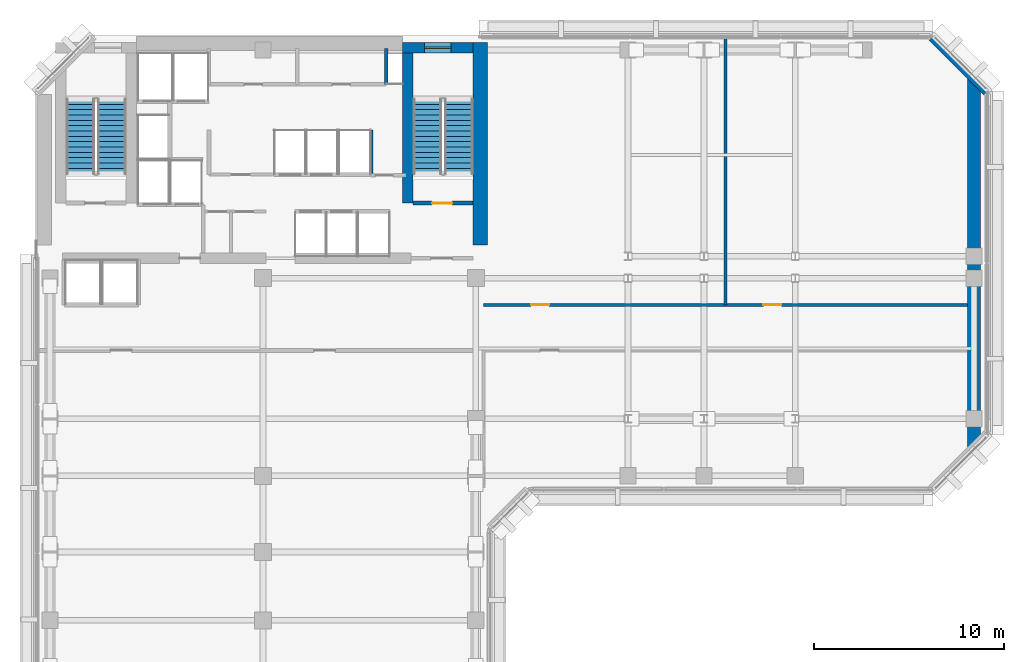
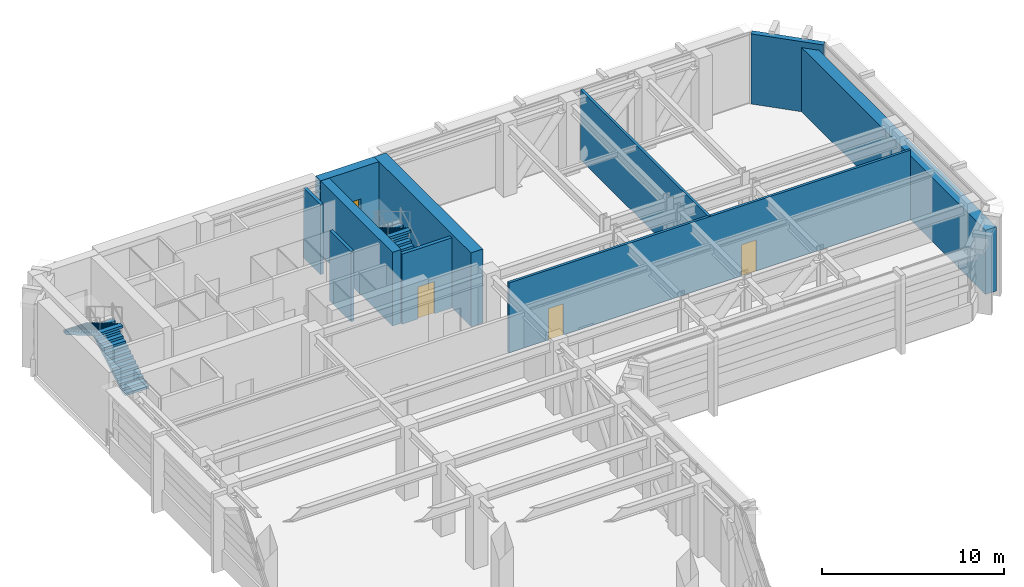
# One storey, part 8 of 12: 10 walls, 4 stair flights, 3 doors, 1 window, 4 openings, 2 elements without a shape of their own.
"""IFC4 building model written with IfcOpenShell, lengths in metres."""

import ifcopenshell
import ifcopenshell.guid

model = None  # the IFC model being written
_history = None  # IfcOwnerHistory: only IFC2X3 demands one
_inside = {}  # id of a spatial element -> (the spatial element, [elements in it])
_under = {}  # id of a project, library or spatial element -> (it, [spatial elements below it])
_declared = {}  # id of a project -> (the project, [libraries it declares])
_typed = {}  # id of a type object -> (the type object, [elements of that type])
_made_of = {}  # id of a material, layer set ... -> (it, [elements and type objects made of it])


def new_model(schema):
    """Start an empty IFC model of exactly this schema.

    Asked for "IFC4X3", IfcOpenShell would pick the latest addendum, in which some entities
    have other attributes; the version numbers below select the first issue.
    IFC2X3 requires an IfcOwnerHistory on every rooted entity: one is made here for all.
    """
    global model, _history
    if schema == "IFC4X3":
        model = ifcopenshell.file(schema_version=(4, 3, 0, 0))
    else:
        model = ifcopenshell.file(schema=schema)
    _inside.clear()
    _under.clear()
    _declared.clear()
    _typed.clear()
    _made_of.clear()
    _history = None
    if model.schema == "IFC2X3":
        org = make("IfcOrganization", Name="unknown")
        user = make(
            "IfcPersonAndOrganization",
            ThePerson=make("IfcPerson", FamilyName="unknown"),
            TheOrganization=org,
        )
        app = make(
            "IfcApplication",
            ApplicationDeveloper=org,
            Version="unknown",
            ApplicationFullName="unknown",
            ApplicationIdentifier="unknown",
        )
        _history = make(
            "IfcOwnerHistory",
            OwningUser=user,
            OwningApplication=app,
            ChangeAction="ADDED",
            CreationDate=0,
        )
    return model


def make(cls, **values):
    """One entity of the class cls with the attributes given. An attribute that is None is left unset."""
    return model.create_entity(
        cls, **{name: value for name, value in values.items() if value is not None}
    )


def rooted(cls, **values):
    """An entity with a GlobalId (a new one), such as an element, a storey or a relation."""
    return make(cls, GlobalId=ifcopenshell.guid.new(), OwnerHistory=_history, **values)


def si_unit(unit_type, name, prefix=None):
    """IfcSIUnit, for example si_unit("LENGTHUNIT", "METRE", prefix="MILLI")."""
    return make("IfcSIUnit", UnitType=unit_type, Prefix=prefix, Name=name)


def assignment(units):
    """IfcUnitAssignment: the units of a project."""
    return None if units is None else make("IfcUnitAssignment", Units=units)


def point(xyz):
    """IfcCartesianPoint."""
    return None if xyz is None else make("IfcCartesianPoint", Coordinates=xyz)


def direction(xyz):
    """IfcDirection."""
    return None if xyz is None else make("IfcDirection", DirectionRatios=xyz)


def frame(location, z_axis=None, x_axis=None):
    """IfcAxis2Placement3D, a coordinate frame: its origin and axes. An axis left out is left unset."""
    return make(
        "IfcAxis2Placement3D",
        Location=point(location),
        Axis=direction(z_axis),
        RefDirection=direction(x_axis),
    )


def frame_2d(location, x_axis=None):
    """IfcAxis2Placement2D, a coordinate frame in the plane: its origin and x axis."""
    return make(
        "IfcAxis2Placement2D", Location=point(location), RefDirection=direction(x_axis)
    )


def origin():
    """The frame at (0, 0, 0) with its axes left unset."""
    return frame((0.0, 0.0, 0.0))


def place(relative_to, where):
    """IfcLocalPlacement: puts the frame where relative to a parent placement (None: the world)."""
    return make(
        "IfcLocalPlacement", PlacementRelTo=relative_to, RelativePlacement=where
    )


def context(
    kind, dimensions, precision=None, world=None, true_north=None, identifier=None
):
    """IfcGeometricRepresentationContext, for example the 3D "Model" context."""
    return make(
        "IfcGeometricRepresentationContext",
        ContextIdentifier=identifier,
        ContextType=kind,
        CoordinateSpaceDimension=dimensions,
        Precision=precision,
        WorldCoordinateSystem=world,
        TrueNorth=true_north,
    )


def subcontext(parent, identifier, kind, view, scale=None):
    """IfcGeometricRepresentationSubContext, for example "Body" below "Model"."""
    return make(
        "IfcGeometricRepresentationSubContext",
        ContextIdentifier=identifier,
        ContextType=kind,
        ParentContext=parent,
        TargetScale=scale,
        TargetView=view,
    )


def project(units=None, contexts=None):
    """IfcProject with its units and contexts."""
    return rooted(
        "IfcProject",
        Name="project",
        RepresentationContexts=contexts,
        UnitsInContext=assignment(units),
    )


def spatial(cls, under=None, at=None, **own):
    """A site, building, storey or space (cls), placed at a placement, below another one or the project."""
    s = rooted(cls, ObjectPlacement=at, **own)
    if under is not None:
        _under.setdefault(under.id(), (under, []))[1].append(s)
    return s


def polyline(points):
    """IfcPolyline through the points."""
    return make("IfcPolyline", Points=[point(p) for p in points])


def profile(cls, at=None, kind="AREA", **sizes):
    """A parametric profile (cls). Its sizes go by their IFC names, for example OverallWidth=200.0."""
    return make(cls, ProfileType=kind, Position=at, **sizes)


def rectangle(**sizes):
    """IfcRectangleProfileDef."""
    return profile("IfcRectangleProfileDef", **sizes)


def outline(outer, holes=None, kind="AREA"):
    """IfcArbitraryClosedProfileDef: a profile drawn as a closed curve; with holes, ...WithVoids."""
    if holes is None:
        return make("IfcArbitraryClosedProfileDef", ProfileType=kind, OuterCurve=outer)
    return make(
        "IfcArbitraryProfileDefWithVoids",
        ProfileType=kind,
        OuterCurve=outer,
        InnerCurves=holes,
    )


def extrude(swept, where, along, depth):
    """IfcExtrudedAreaSolid: the profile swept, set in the frame where, extruded along a direction by depth."""
    return make(
        "IfcExtrudedAreaSolid",
        SweptArea=swept,
        Position=where,
        ExtrudedDirection=direction(along),
        Depth=depth,
    )


def shape(context_of_items, identifier, shape_type, items):
    """IfcShapeRepresentation: the items that make up one representation, for example the "Body"."""
    return make(
        "IfcShapeRepresentation",
        ContextOfItems=context_of_items,
        RepresentationIdentifier=identifier,
        RepresentationType=shape_type,
        Items=items,
    )


def material(Name=None, Category=None):
    """IfcMaterial."""
    return make("IfcMaterial", Name=Name, Category=Category)


def layer(
    of_material, thickness, ventilated=None, Name=None, Category=None, Priority=None
):
    """IfcMaterialLayer: one layer of a wall or slab, of a material (None: an air gap)."""
    return make(
        "IfcMaterialLayer",
        Material=of_material,
        LayerThickness=thickness,
        IsVentilated=ventilated,
        Name=Name,
        Category=Category,
        Priority=Priority,
    )


def layer_set(layers, Name=None):
    """IfcMaterialLayerSet."""
    return make("IfcMaterialLayerSet", MaterialLayers=layers, LayerSetName=Name)


def made_of(thing, what):
    """Note that an element or type object is made of a material, layer set ...; save() writes the relation."""
    if what is not None:
        _made_of.setdefault(what.id(), (what, []))[1].append(thing)
    return thing


def type_object(cls, material=None, **own):
    """A type object (cls), such as IfcWallType, which elements share."""
    return made_of(rooted(cls, **own), material)


def element(
    cls,
    number,
    at=None,
    inside=None,
    cuts=None,
    type_object=None,
    material=None,
    context=None,
    identifier="Body",
    shape_type=None,
    held_by="IfcProductDefinitionShape",
    body=None,
    shapes=None,
    **own,
):
    """One element of the class cls, such as IfcWall. Its Tag is "e" and its number.

    at: its placement. inside: the storey or other place that contains it. cuts: it is an
    opening in that element (IfcRelVoidsElement). A single representation is given by context,
    identifier, shape_type and body (its items); several are given by shapes. held_by: the class
    of the entity that holds the representations. save() writes the other relations.
    """
    e = rooted(cls, Tag="e%d" % number, ObjectPlacement=at, **own)
    if body is not None:
        shapes = [shape(context, identifier, shape_type, body)]
    if shapes is not None:
        e.Representation = make(held_by, Representations=shapes)
    if inside is not None:
        _inside.setdefault(inside.id(), (inside, []))[1].append(e)
    if cuts is not None:
        rooted(
            "IfcRelVoidsElement", RelatingBuildingElement=cuts, RelatedOpeningElement=e
        )
    if type_object is not None:
        _typed.setdefault(type_object.id(), (type_object, []))[1].append(e)
    return made_of(e, material)


def fill(opening, filler):
    """IfcRelFillsElement: the door or window that sits in an opening."""
    return rooted(
        "IfcRelFillsElement",
        RelatingOpeningElement=opening,
        RelatedBuildingElement=filler,
    )


def aggregate(whole, parts):
    """IfcRelAggregates: a whole, such as a stair, and the parts it consists of."""
    return rooted("IfcRelAggregates", RelatingObject=whole, RelatedObjects=parts)


def save(model, path):
    """Write the relations noted so far, then the file.

    IfcRelAggregates (storeys below a building ...), IfcRelContainedInSpatialStructure (elements
    in a storey), IfcRelDefinesByType, IfcRelAssociatesMaterial and IfcRelDeclares: one each for
    every whole, place, type object, material and project.
    """
    for whole, parts in _under.values():
        aggregate(whole, parts)
    for where, things in _inside.values():
        rooted(
            "IfcRelContainedInSpatialStructure",
            RelatedElements=things,
            RelatingStructure=where,
        )
    for kind, things in _typed.values():
        rooted("IfcRelDefinesByType", RelatedObjects=things, RelatingType=kind)
    for what, things in _made_of.values():
        rooted("IfcRelAssociatesMaterial", RelatedObjects=things, RelatingMaterial=what)
    for by, libraries in _declared.values():
        rooted("IfcRelDeclares", RelatingContext=by, RelatedDefinitions=libraries)
    model.write(path)


model = new_model("IFC4")

# Units and contexts
model_context = context("Model", 3, precision=1e-05, world=origin(), true_north=direction((0.0, 1.0)))
body_context = subcontext(model_context, "Body", "Model", "MODEL_VIEW")
ifc_project = project(units=[si_unit("LENGTHUNIT", "METRE"), si_unit("AREAUNIT", "SQUARE_METRE"), si_unit("VOLUMEUNIT", "CUBIC_METRE"), si_unit("PLANEANGLEUNIT", "RADIAN"), si_unit("MASSUNIT", "GRAM", prefix="KILO")], contexts=[model_context])

# Site, building, storey
site_placement = place(None, origin())
site = spatial("IfcSite", under=ifc_project, at=site_placement, CompositionType="ELEMENT")
building_placement = place(site_placement, origin())
building = spatial("IfcBuilding", under=site, at=building_placement, Name="Kefirva Bronze Tower", CompositionType="ELEMENT")
storey_placement = place(building_placement, frame((0.0, 0.0, 174.570068359375)))
storey = spatial("IfcBuildingStorey", under=building, at=storey_placement, Name="L42", CompositionType="ELEMENT", Elevation=174.570068359375)

# Wall, opening, door
ifc_material_1 = material(Name="Gypsum fireboard shaftwall")
ifc_layer_1 = layer(ifc_material_1, 0.219970703125, Name="Gypsum fireboard shaftwall")
ifc_layer_set_1 = layer_set([ifc_layer_1], Name="Gypsum fireboard shaftwall")
wall_type_1 = type_object("IfcWallType", Name="Fire-Rated Shaft Enclosure Wall 220mm", PredefinedType="PARTITIONING", material=ifc_layer_set_1)
wall_1_placement = place(storey_placement, frame((19.89990234375, 37.14990234375, 0.0), z_axis=(0.0, 0.0, 1.0), x_axis=(1.0, 0.0, 0.0)))
wall_1 = element("IfcWall", 1, at=wall_1_placement, inside=storey, type_object=wall_type_1, Name="L42 Partition W-L42-ST2S", PredefinedType="PARTITIONING", context=body_context, shape_type="SweptSolid", body=[
    extrude(rectangle(XDim=3.150146484375, YDim=0.219970703125, at=frame_2d((1.5751953125, 0.0))), origin(), (0.0, 0.0, 1.0), 4.699951171875),
])
opening_1_placement = place(wall_1_placement, frame((2.050048828125, 0.0, 0.0), z_axis=(0.0, 0.0, 1.0), x_axis=(-1.0, 0.0, 0.0)))
opening_1 = element("IfcOpeningElement", 2, at=opening_1_placement, cuts=wall_1, Name="Opening L42-D003", PredefinedType="OPENING", context=body_context, shape_type="SweptSolid", body=[
    extrude(rectangle(XDim=1.050048828125, YDim=2.14990234375, at=frame_2d((0.52490234375, 1.074951171875))), frame((0.0, 0.1201171875, 0.0), z_axis=(0.0, -1.0, 0.0), x_axis=(1.0, 0.0, 0.0)), (0.0, 0.0, 1.0), 0.239990234375),
])
ifc_material_2 = material(Name="Painted galvanized steel", Category="steel")
door_type_1 = type_object("IfcDoorType", Name="Fire Stair Enclosure Door 1050x2150 FD90S", OperationType="NOTDEFINED", PredefinedType="DOOR", material=ifc_material_2)
door_1_placement = place(opening_1_placement, origin())
door_1 = element("IfcDoor", 3, at=door_1_placement, inside=storey, type_object=door_type_1, Name="Door L42-D003", OperationType="SINGLE_SWING_RIGHT", OverallHeight=2.14990234375, OverallWidth=1.050048828125, PredefinedType="DOOR", context=body_context, shape_type="SweptSolid", body=[
    extrude(rectangle(XDim=1.050048828125, YDim=2.14990234375, at=frame_2d((0.52490234375, 1.074951171875))), frame((0.0, 0.02490234375, 0.0), z_axis=(0.0, -1.0, 0.0), x_axis=(1.0, 0.0, 0.0)), (0.0, 0.0, 1.0), 0.050048828125),
])
fill(opening_1, door_1)

# Walls
wall_2_placement = place(storey_placement, frame((17.679931640625, 38.64990234375, 0.0), z_axis=(0.0, 0.0, 1.0), x_axis=(0.0, 1.0, 0.0)))
element("IfcWall", 4, at=wall_2_placement, inside=storey, type_object=wall_type_1, Name="L42 Partition W-L42-HP2E", PredefinedType="PARTITIONING", context=body_context, shape_type="SweptSolid", body=[
    extrude(rectangle(XDim=2.35009765625, YDim=0.199951171875, at=frame_2d((1.175048828125, 0.0))), origin(), (0.0, 0.0, 1.0), 4.699951171875),
])
ifc_material_3 = material(Name="Precast concrete C40/50", Category="concrete")
ifc_layer_2 = layer(ifc_material_3, 0.320068359375, Name="Precast concrete C40/50")
ifc_layer_set_2 = layer_set([ifc_layer_2], Name="Precast concrete C40/50")
wall_type_2 = type_object("IfcWallType", Name="Precast Insulated Exterior Wall 320mm", PredefinedType="SOLIDWALL", material=ifc_layer_set_2)
wall_3_placement = place(storey_placement, frame((50.048095703125, 42.92578125, 0.0), z_axis=(0.0, 0.0, 1.0), x_axis=(-0.707136318428, 0.707077242712, 0.0)))
element("IfcWall", 5, at=wall_3_placement, inside=storey, type_object=wall_type_2, Name="L42 Exterior Facade Wall 4", PredefinedType="SOLIDWALL", context=body_context, shape_type="SweptSolid", body=[
    extrude(rectangle(XDim=4.132568359375, YDim=0.320068359375, at=frame_2d((2.06640625, 0.0))), origin(), (0.0, 0.0, 1.0), 4.699951171875),
])

# Wall, openings, doors
ifc_material_4 = material(Name="Gypsum acoustic partition")
ifc_layer_3 = layer(ifc_material_4, 0.159912109375, Name="Gypsum acoustic partition")
ifc_layer_set_3 = layer_set([ifc_layer_3], Name="Gypsum acoustic partition")
wall_type_3 = type_object("IfcWallType", Name="Protected Corridor Partition 160mm", PredefinedType="PARTITIONING", material=ifc_layer_set_3)
wall_4_placement = place(storey_placement, frame((23.60009765625, 31.800048828125, 0.0), z_axis=(0.0, 0.0, 1.0), x_axis=(1.0, 0.0, 0.0)))
wall_4 = element("IfcWall", 6, at=wall_4_placement, inside=storey, type_object=wall_type_3, Name="L42 Partition W-L42-PLTE", PredefinedType="PARTITIONING", context=body_context, shape_type="SweptSolid", body=[
    extrude(rectangle(XDim=25.449951171875, YDim=0.159912109375, at=frame_2d((12.72509765625, 0.0))), origin(), (0.0, 0.0, 1.0), 4.699951171875),
])
opening_2_placement = place(wall_4_placement, frame((2.5, 0.0, 0.0)))
opening_2 = element("IfcOpeningElement", 7, at=opening_2_placement, cuts=wall_4, Name="Opening L42-D-AHU", PredefinedType="OPENING", context=body_context, shape_type="SweptSolid", body=[
    extrude(rectangle(XDim=0.949951171875, YDim=2.10009765625, at=frame_2d((0.47509765625, 1.050048828125))), frame((0.0, 0.08984375, 0.0), z_axis=(0.0, -1.0, 0.0), x_axis=(1.0, 0.0, 0.0)), (0.0, 0.0, 1.0), 0.179931640625),
])
opening_3_placement = place(wall_4_placement, frame((14.72509765625, 0.0, 0.0)))
opening_3 = element("IfcOpeningElement", 8, at=opening_3_placement, cuts=wall_4, Name="Opening L42-D-ELP", PredefinedType="OPENING", context=body_context, shape_type="SweptSolid", body=[
    extrude(rectangle(XDim=0.949951171875, YDim=2.10009765625, at=frame_2d((0.47509765625, 1.050048828125))), frame((0.0, 0.08984375, 0.0), z_axis=(0.0, -1.0, 0.0), x_axis=(1.0, 0.0, 0.0)), (0.0, 0.0, 1.0), 0.179931640625),
])
door_type_2 = type_object("IfcDoorType", Name="Riser & Plant Shaft Fire Door 950x2100 FD60S", OperationType="NOTDEFINED", PredefinedType="DOOR", material=ifc_material_2)
door_2_placement = place(opening_2_placement, origin())
door_2 = element("IfcDoor", 9, at=door_2_placement, inside=storey, type_object=door_type_2, Name="Door L42-D-AHU", OperationType="SINGLE_SWING_RIGHT", OverallHeight=2.10009765625, OverallWidth=0.949951171875, PredefinedType="DOOR", context=body_context, shape_type="SweptSolid", body=[
    extrude(rectangle(XDim=0.949951171875, YDim=2.10009765625, at=frame_2d((0.47509765625, 1.050048828125))), frame((0.0, 0.02490234375, 0.0), z_axis=(0.0, -1.0, 0.0), x_axis=(1.0, 0.0, 0.0)), (0.0, 0.0, 1.0), 0.050048828125),
])
fill(opening_2, door_2)
door_3_placement = place(opening_3_placement, origin())
door_3 = element("IfcDoor", 10, at=door_3_placement, inside=storey, type_object=door_type_2, Name="Door L42-D-ELP", OperationType="SINGLE_SWING_LEFT", OverallHeight=2.10009765625, OverallWidth=0.949951171875, PredefinedType="DOOR", context=body_context, shape_type="SweptSolid", body=[
    extrude(rectangle(XDim=0.949951171875, YDim=2.10009765625, at=frame_2d((0.47509765625, 1.050048828125))), frame((0.0, 0.02490234375, 0.0), z_axis=(0.0, -1.0, 0.0), x_axis=(1.0, 0.0, 0.0)), (0.0, 0.0, 1.0), 0.050048828125),
])
fill(opening_3, door_3)

# Wall
wall_5_placement = place(storey_placement, frame((36.324951171875, 31.800048828125, 0.0), z_axis=(0.0, 0.0, 1.0), x_axis=(0.0, 1.0, 0.0)))
element("IfcWall", 11, at=wall_5_placement, inside=storey, type_object=wall_type_3, Name="L42 Partition W-L42-PLTDV", PredefinedType="PARTITIONING", context=body_context, shape_type="SweptSolid", body=[
    extrude(rectangle(XDim=14.010009765625, YDim=0.159912109375, at=frame_2d((7.0048828125, 0.0))), origin(), (0.0, 0.0, 1.0), 4.699951171875),
])

# Wall, opening, window
ifc_material_5 = material(Name="Concrete C50/60", Category="concrete")
ifc_layer_4 = layer(ifc_material_5, 0.550048828125, Name="Concrete C50/60")
ifc_layer_set_4 = layer_set([ifc_layer_4], Name="Concrete C50/60")
wall_type_4 = type_object("IfcWallType", Name="RC Rear Core Exterior Wall 550mm", PredefinedType="SHEAR", material=ifc_layer_set_4)
wall_6_placement = place(storey_placement, frame((19.35009765625, 45.320068359375, 0.0), z_axis=(0.0, 0.0, 1.0), x_axis=(1.0, 0.0, 0.0)))
wall_6 = element("IfcWall", 12, at=wall_6_placement, inside=storey, type_object=wall_type_4, Name="L42 Stair 2 North Shear Wall", PredefinedType="SHEAR", context=body_context, shape_type="SweptSolid", body=[
    extrude(rectangle(XDim=3.68994140625, YDim=0.550048828125, at=frame_2d((1.844970703125, 0.0))), origin(), (0.0, 0.0, 1.0), 4.949951171875),
])
opening_4_placement = place(wall_6_placement, frame((1.14990234375, 0.0, 1.050048828125)))
opening_4 = element("IfcOpeningElement", 13, at=opening_4_placement, cuts=wall_6, Name="Opening WN-03", PredefinedType="OPENING", context=body_context, shape_type="SweptSolid", body=[
    extrude(rectangle(XDim=1.39990234375, YDim=1.800048828125, at=frame_2d((0.699951171875, 0.89990234375))), frame((0.0, 0.28515625, 0.0), z_axis=(0.0, -1.0, 0.0), x_axis=(1.0, 0.0, 0.0)), (0.0, 0.0, 1.0), 0.570068359375),
])
ifc_material_6 = material(Name="Laminated low-E double glazing", Category="glass")
window_type = type_object("IfcWindowType", Name="Rear-Core Stair Daylight Window 1400x1800", PartitioningType="SINGLE_PANEL", PredefinedType="WINDOW", material=ifc_material_6)
window_placement = place(opening_4_placement, origin())
window = element("IfcWindow", 14, at=window_placement, inside=storey, type_object=window_type, Name="L42 Stair 2 Daylight Window", OverallHeight=1.800048828125, OverallWidth=1.39990234375, PartitioningType="SINGLE_PANEL", PredefinedType="WINDOW", context=body_context, shape_type="SweptSolid", body=[
    extrude(rectangle(XDim=1.39990234375, YDim=1.800048828125, at=frame_2d((0.699951171875, 0.89990234375))), frame((0.0, 0.030029296875, 0.0), z_axis=(0.0, -1.0, 0.0), x_axis=(1.0, 0.0, 0.0)), (0.0, 0.0, 1.0), 0.06005859375),
])
fill(opening_4, window)

# Walls
ifc_layer_5 = layer(ifc_material_5, 0.550048828125, Name="Concrete C50/60")
ifc_layer_set_5 = layer_set([ifc_layer_5], Name="Concrete C50/60")
wall_type_5 = type_object("IfcWallType", Name="RC Rear Core Interior Wall 550mm", PredefinedType="SHEAR", material=ifc_layer_set_5)
wall_7_placement = place(storey_placement, frame((19.6201171875, 37.14990234375, 0.0), z_axis=(0.0, 0.0, 1.0), x_axis=(0.0, 1.0, 0.0)))
element("IfcWall", 15, at=wall_7_placement, inside=storey, type_object=wall_type_5, Name="L42 Stair 2 West Shear Wall", PredefinedType="SHEAR", context=body_context, shape_type="SweptSolid", body=[
    extrude(rectangle(XDim=7.89013671875, YDim=0.550048828125, at=frame_2d((3.945068359375, 0.0))), origin(), (0.0, 0.0, 1.0), 4.949951171875),
])
ifc_material_7 = material(Name="Concrete C60/75", Category="concrete")
ifc_layer_6 = layer(ifc_material_7, 0.75, Name="Concrete C60/75")
ifc_layer_set_6 = layer_set([ifc_layer_6], Name="Concrete C60/75")
wall_type_6 = type_object("IfcWallType", Name="RC Rear Core Interior Wall 750mm", PredefinedType="SHEAR", material=ifc_layer_set_6)
wall_8_placement = place(storey_placement, frame((23.425048828125, 34.949951171875, 0.0), z_axis=(0.0, 0.0, 1.0), x_axis=(0.0, 1.0, 0.0)))
element("IfcWall", 16, at=wall_8_placement, inside=storey, type_object=wall_type_6, Name="L42 Rear Core East Shear Wall", PredefinedType="SHEAR", context=body_context, shape_type="SweptSolid", body=[
    extrude(rectangle(XDim=10.64013671875, YDim=0.75, at=frame_2d((5.320068359375, 0.0))), origin(), (0.0, 0.0, 1.0), 4.949951171875),
])
ifc_layer_7 = layer(ifc_material_7, 0.699951171875, Name="Concrete C60/75")
ifc_layer_set_7 = layer_set([ifc_layer_7], Name="Concrete C60/75")
wall_type_7 = type_object("IfcWallType", Name="RC Refuge Perimeter Belt Wall 700mm", PredefinedType="SHEAR", material=ifc_layer_set_7)
wall_9_placement = place(storey_placement, frame((49.39990234375, 23.5, 0.0), z_axis=(0.0, 0.0, 1.0), x_axis=(0.0, 1.0, 0.0)))
element("IfcWall", 17, at=wall_9_placement, inside=storey, type_object=wall_type_7, Name="L42 East Perimeter Belt Shear Wall", PredefinedType="SHEAR", context=body_context, shape_type="SweptSolid", body=[
    extrude(rectangle(XDim=20.89990234375, YDim=0.699951171875, at=frame_2d((10.449951171875, 0.0))), origin(), (0.0, 0.0, 1.0), 4.300048828125),
])
ifc_material_8 = material(Name="Moisture-resistant partition")
ifc_layer_8 = layer(ifc_material_8, 0.179931640625, Name="Moisture-resistant partition")
ifc_layer_set_8 = layer_set([ifc_layer_8], Name="Moisture-resistant partition")
wall_type_8 = type_object("IfcWallType", Name="Sanitary Plumbing Chase Wall 180mm", PredefinedType="PLUMBINGWALL", material=ifc_layer_set_8)
wall_10_placement = place(storey_placement, frame((18.47998046875, 43.39990234375, 0.0), z_axis=(0.0, 0.0, 1.0), x_axis=(0.0, 1.0, 0.0)))
element("IfcWall", 18, at=wall_10_placement, inside=storey, type_object=wall_type_8, Name="L42 Partition W-L42-SVCE", PredefinedType="PLUMBINGWALL", context=body_context, shape_type="SweptSolid", body=[
    extrude(rectangle(XDim=1.880126953125, YDim=0.179931640625, at=frame_2d((0.93994140625, 0.0))), origin(), (0.0, 0.0, 1.0), 4.699951171875),
])

# Stair, stair flights
ifc_material_9 = material(Name="Concrete C40/50", Category="concrete")
stair_type = type_object("IfcStairType", Name="RC Dogleg Protected Stair 24R", PredefinedType="HALF_TURN_STAIR", material=ifc_material_9)
stair_1_placement = place(storey_placement, origin())
stair_1 = element("IfcStair", 19, at=stair_1_placement, inside=storey, type_object=stair_type, Name="L42 Protected Exit Stair 1", PredefinedType="HALF_TURN_STAIR")
stair_flight_type = type_object("IfcStairFlightType", Name="RC Straight Stair Flight 24R", PredefinedType="STRAIGHT", material=ifc_material_9)
stair_flight_1_placement = place(storey_placement, frame((4.050048828125, 38.699951171875, 0.0), z_axis=(0.0, 0.0, 1.0), x_axis=(0.0, 1.0, 0.0)))
stair_flight_1 = element("IfcStairFlight", 20, at=stair_flight_1_placement, type_object=stair_flight_type, Name="ST-1 flight 1", NumberOfRisers=15, NumberOfTreads=14, PredefinedType="STRAIGHT", RiserHeight=0.165, TreadLength=0.28, context=body_context, shape_type="SweptSolid", body=[
    extrude(outline(polyline([(0.0, 0.0), (0.0, 0.1650390625), (0.280029296875, 0.1650390625), (0.280029296875, 0.330078125), (0.56005859375, 0.330078125), (0.56005859375, 0.4951171875), (0.840087890625, 0.4951171875), (0.840087890625, 0.659912109375), (1.1201171875, 0.659912109375), (1.1201171875, 0.824951171875), (1.39990234375, 0.824951171875), (1.39990234375, 0.989990234375), (1.679931640625, 0.989990234375), (1.679931640625, 1.155029296875), (1.9599609375, 1.155029296875), (1.9599609375, 1.320068359375), (2.239990234375, 1.320068359375), (2.239990234375, 1.485107421875), (2.52001953125, 1.485107421875), (2.52001953125, 1.64990234375), (2.800048828125, 1.64990234375), (2.800048828125, 1.81494140625), (3.080078125, 1.81494140625), (3.080078125, 1.97998046875), (3.360107421875, 1.97998046875), (3.360107421875, 2.14501953125), (3.639892578125, 2.14501953125), (3.639892578125, 2.31005859375), (3.919921875, 2.31005859375), (3.919921875, 2.47509765625), (3.919921875, 2.135986328125), (0.295166015625, 0.0), (0.0, 0.0)])), frame((0.0, 0.75, 0.0), z_axis=(0.0, -1.0, 0.0), x_axis=(1.0, 0.0, 0.0)), (0.0, 0.0, 1.0), 1.5),
])
stair_flight_2_placement = place(storey_placement, frame((2.39990234375, 42.6201171875, 2.474853515625), z_axis=(0.0, 0.0, 1.0), x_axis=(0.0, -1.0, 0.0)))
stair_flight_2 = element("IfcStairFlight", 21, at=stair_flight_2_placement, type_object=stair_flight_type, Name="ST-1 flight 2", NumberOfRisers=15, NumberOfTreads=14, PredefinedType="STRAIGHT", RiserHeight=0.165, TreadLength=0.28, context=body_context, shape_type="SweptSolid", body=[
    extrude(outline(polyline([(0.0, 0.0), (0.0, 0.1650390625), (0.280029296875, 0.1650390625), (0.280029296875, 0.330078125), (0.56005859375, 0.330078125), (0.56005859375, 0.4951171875), (0.840087890625, 0.4951171875), (0.840087890625, 0.659912109375), (1.1201171875, 0.659912109375), (1.1201171875, 0.824951171875), (1.39990234375, 0.824951171875), (1.39990234375, 0.989990234375), (1.679931640625, 0.989990234375), (1.679931640625, 1.155029296875), (1.9599609375, 1.155029296875), (1.9599609375, 1.320068359375), (2.239990234375, 1.320068359375), (2.239990234375, 1.485107421875), (2.52001953125, 1.485107421875), (2.52001953125, 1.64990234375), (2.800048828125, 1.64990234375), (2.800048828125, 1.81494140625), (3.080078125, 1.81494140625), (3.080078125, 1.97998046875), (3.360107421875, 1.97998046875), (3.360107421875, 2.14501953125), (3.639892578125, 2.14501953125), (3.639892578125, 2.31005859375), (3.919921875, 2.31005859375), (3.919921875, 2.47509765625), (3.919921875, 2.135986328125), (0.295166015625, 0.0), (0.0, 0.0)])), frame((0.0, 0.75, 0.0), z_axis=(0.0, -1.0, 0.0), x_axis=(1.0, 0.0, 0.0)), (0.0, 0.0, 1.0), 1.5),
])
aggregate(stair_1, [stair_flight_1, stair_flight_2])

stair_2_placement = place(storey_placement, origin())
stair_2 = element("IfcStair", 22, at=stair_2_placement, inside=storey, type_object=stair_type, Name="L42 Protected Exit Stair 2", PredefinedType="HALF_TURN_STAIR")
stair_flight_3_placement = place(storey_placement, frame((22.300048828125, 38.699951171875, 0.0), z_axis=(0.0, 0.0, 1.0), x_axis=(0.0, 1.0, 0.0)))
stair_flight_3 = element("IfcStairFlight", 23, at=stair_flight_3_placement, type_object=stair_flight_type, Name="ST-2 flight 1", NumberOfRisers=15, NumberOfTreads=14, PredefinedType="STRAIGHT", RiserHeight=0.165, TreadLength=0.28, context=body_context, shape_type="SweptSolid", body=[
    extrude(outline(polyline([(0.0, 0.0), (0.0, 0.1650390625), (0.280029296875, 0.1650390625), (0.280029296875, 0.330078125), (0.56005859375, 0.330078125), (0.56005859375, 0.4951171875), (0.840087890625, 0.4951171875), (0.840087890625, 0.659912109375), (1.1201171875, 0.659912109375), (1.1201171875, 0.824951171875), (1.39990234375, 0.824951171875), (1.39990234375, 0.989990234375), (1.679931640625, 0.989990234375), (1.679931640625, 1.155029296875), (1.9599609375, 1.155029296875), (1.9599609375, 1.320068359375), (2.239990234375, 1.320068359375), (2.239990234375, 1.485107421875), (2.52001953125, 1.485107421875), (2.52001953125, 1.64990234375), (2.800048828125, 1.64990234375), (2.800048828125, 1.81494140625), (3.080078125, 1.81494140625), (3.080078125, 1.97998046875), (3.360107421875, 1.97998046875), (3.360107421875, 2.14501953125), (3.639892578125, 2.14501953125), (3.639892578125, 2.31005859375), (3.919921875, 2.31005859375), (3.919921875, 2.47509765625), (3.919921875, 2.135986328125), (0.295166015625, 0.0), (0.0, 0.0)])), frame((0.0, 0.75, 0.0), z_axis=(0.0, -1.0, 0.0), x_axis=(1.0, 0.0, 0.0)), (0.0, 0.0, 1.0), 1.5),
])
stair_flight_4_placement = place(storey_placement, frame((20.64990234375, 42.6201171875, 2.474853515625), z_axis=(0.0, 0.0, 1.0), x_axis=(0.0, -1.0, 0.0)))
stair_flight_4 = element("IfcStairFlight", 24, at=stair_flight_4_placement, type_object=stair_flight_type, Name="ST-2 flight 2", NumberOfRisers=15, NumberOfTreads=14, PredefinedType="STRAIGHT", RiserHeight=0.165, TreadLength=0.28, context=body_context, shape_type="SweptSolid", body=[
    extrude(outline(polyline([(0.0, 0.0), (0.0, 0.1650390625), (0.280029296875, 0.1650390625), (0.280029296875, 0.330078125), (0.56005859375, 0.330078125), (0.56005859375, 0.4951171875), (0.840087890625, 0.4951171875), (0.840087890625, 0.659912109375), (1.1201171875, 0.659912109375), (1.1201171875, 0.824951171875), (1.39990234375, 0.824951171875), (1.39990234375, 0.989990234375), (1.679931640625, 0.989990234375), (1.679931640625, 1.155029296875), (1.9599609375, 1.155029296875), (1.9599609375, 1.320068359375), (2.239990234375, 1.320068359375), (2.239990234375, 1.485107421875), (2.52001953125, 1.485107421875), (2.52001953125, 1.64990234375), (2.800048828125, 1.64990234375), (2.800048828125, 1.81494140625), (3.080078125, 1.81494140625), (3.080078125, 1.97998046875), (3.360107421875, 1.97998046875), (3.360107421875, 2.14501953125), (3.639892578125, 2.14501953125), (3.639892578125, 2.31005859375), (3.919921875, 2.31005859375), (3.919921875, 2.47509765625), (3.919921875, 2.135986328125), (0.295166015625, 0.0), (0.0, 0.0)])), frame((0.0, 0.75, 0.0), z_axis=(0.0, -1.0, 0.0), x_axis=(1.0, 0.0, 0.0)), (0.0, 0.0, 1.0), 1.5),
])
aggregate(stair_2, [stair_flight_3, stair_flight_4])

save(model, "model.ifc")
